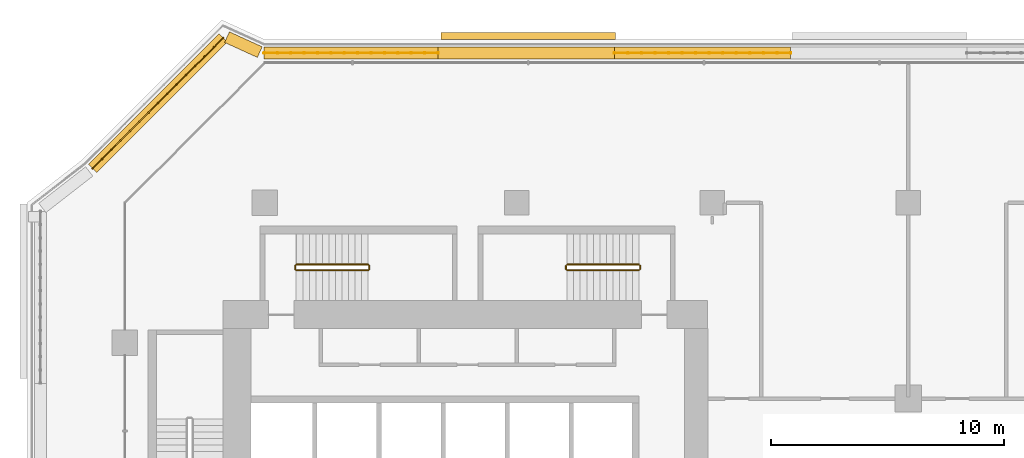
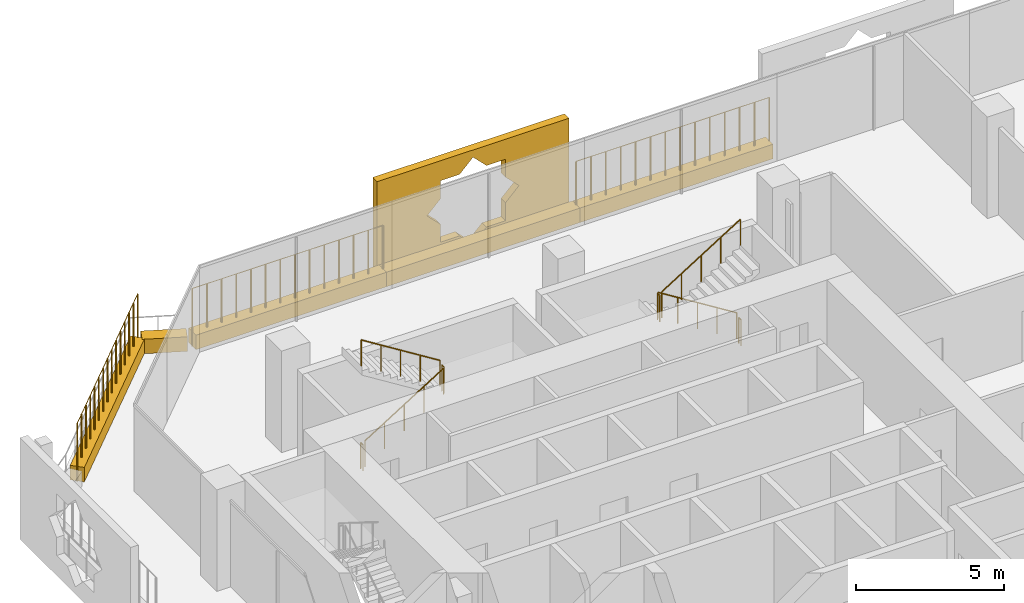
# One storey, part 25 of 27: 11 railings, 6 coverings.
"""IFC4 building model written with IfcOpenShell, lengths in metres."""

from ifc_helpers import new_model, si_unit, direction, frame, origin, origin_2d, place, context, subcontext, project, spatial, polyline, rectangle, circle, outline, extrude, material, material_profile, profile_set, type_object, element, save


model = new_model("IFC4")

# Units and contexts
model_context = context("Model", 3, precision=1e-05, world=origin(), true_north=direction((0.0, 1.0)))
body_context = subcontext(model_context, "Body", "Model", "MODEL_VIEW")
ifc_project = project(units=[si_unit("LENGTHUNIT", "METRE"), si_unit("AREAUNIT", "SQUARE_METRE"), si_unit("VOLUMEUNIT", "CUBIC_METRE"), si_unit("PLANEANGLEUNIT", "RADIAN"), si_unit("MASSUNIT", "GRAM", prefix="KILO")], contexts=[model_context])

# Site, building, storey
site_placement = place(None, origin())
site = spatial("IfcSite", under=ifc_project, at=site_placement, CompositionType="ELEMENT")
building_placement = place(site_placement, origin())
building = spatial("IfcBuilding", under=site, at=building_placement, Name="Kawkab Arch Medical Tower", CompositionType="ELEMENT")
storey_placement = place(building_placement, frame((0.0, 0.0, 103.0)))
storey = spatial("IfcBuildingStorey", under=building, at=storey_placement, Name="L23", CompositionType="ELEMENT", Elevation=103.0)

# Coverings
ifc_material_1 = material(Name="Bronze anodised aluminium mashrabiya panel, eight-point star pattern", Category="aluminium")
ifc_material_profile_1 = material_profile(ifc_material_1, outline(polyline([(-3.75, -2.10009765625), (3.75, -2.10009765625), (3.75, 2.10009765625), (-3.75, 2.10009765625), (-3.75, -2.10009765625)]), holes=[polyline([(1.800048828125, 0.0), (1.272705078125, 0.527099609375), (1.272705078125, 1.272705078125), (0.527099609375, 1.272705078125), (0.0, 1.800048828125), (-0.527099609375, 1.272705078125), (-1.272705078125, 1.272705078125), (-1.272705078125, 0.527099609375), (-1.800048828125, 0.0), (-1.272705078125, -0.527099609375), (-1.272705078125, -1.272705078125), (-0.527099609375, -1.272705078125), (0.0, -1.800048828125), (0.527099609375, -1.272705078125), (1.272705078125, -1.272705078125), (1.272705078125, -0.527099609375), (1.800048828125, 0.0)])]), Name="Mashrabiya panel 7500x4200")
ifc_profile_set_1 = profile_set([ifc_material_profile_1], Name="Bronze anodised aluminium mashrabiya panel, eight-point star pattern")
covering_type_1 = type_object("IfcCoveringType", Name="Mashrabiya panel 7500 x 4200", PredefinedType="USERDEFINED", material=ifc_profile_set_1)
covering_1_placement = place(storey_placement, frame((17.298583984375, 7.0, 1.699951171875), z_axis=(0.0, 1.0, 0.0), x_axis=(-1.0, 0.0, 0.0)))
element("IfcCovering", 1, at=covering_1_placement, inside=storey, type_object=covering_type_1, Name="Mashrabiya panel L23.LOG-01-02.6", ObjectType="SCREEN", PredefinedType="USERDEFINED", context=body_context, shape_type="SweptSolid", body=[
    extrude(outline(polyline([(-3.75, -2.10009765625), (3.75, -2.10009765625), (3.75, 2.10009765625), (-3.75, 2.10009765625), (-3.75, -2.10009765625)]), holes=[polyline([(1.800048828125, 0.0), (1.272705078125, 0.527099609375), (1.272705078125, 1.272705078125), (0.527099609375, 1.272705078125), (0.0, 1.800048828125), (-0.527099609375, 1.272705078125), (-1.272705078125, 1.272705078125), (-1.272705078125, 0.527099609375), (-1.800048828125, 0.0), (-1.272705078125, -0.527099609375), (-1.272705078125, -1.272705078125), (-0.527099609375, -1.272705078125), (0.0, -1.800048828125), (0.527099609375, -1.272705078125), (1.272705078125, -1.272705078125), (1.272705078125, -0.527099609375), (1.800048828125, 0.0)])]), origin(), (0.0, 0.0, 1.0), 0.300048828125),
])
ifc_material_2 = material(Name="Planting soil in a precast trough", Category="concrete")
ifc_material_profile_2 = material_profile(ifc_material_2, rectangle(XDim=0.5, YDim=0.60009765625, at=origin_2d()), Name="Trough 500x600")
ifc_profile_set_2 = profile_set([ifc_material_profile_2], Name="Planting soil in a precast trough")
covering_type_2 = type_object("IfcCoveringType", Name="Planter trough 500 x 600", PredefinedType="USERDEFINED", material=ifc_profile_set_2)
covering_2_placement = place(storey_placement, frame((-1.383056640625, 1.472900390625, 0.300048828125), z_axis=(0.707106781187, 0.707106781187, 0.0), x_axis=(-0.707106781187, 0.707106781187, 0.0)))
element("IfcCovering", 2, at=covering_2_placement, inside=storey, type_object=covering_type_2, Name="Planter L23.LOG-01-02.15", ObjectType="PLANTER", PredefinedType="USERDEFINED", context=body_context, shape_type="SweptSolid", body=[
    extrude(rectangle(XDim=0.5, YDim=0.60009765625, at=origin_2d()), origin(), (0.0, 0.0, 1.0), 7.919677734375),
])
covering_3_placement = place(storey_placement, frame((4.37890625, 7.10205078125, 0.300048828125), z_axis=(0.909655525109, -0.415363486165, 0.0), x_axis=(0.415363486165, 0.909655525109, 0.0)))
element("IfcCovering", 3, at=covering_3_placement, inside=storey, type_object=covering_type_2, Name="Planter L23.LOG-01-02.16", ObjectType="PLANTER", PredefinedType="USERDEFINED", context=body_context, shape_type="SweptSolid", body=[
    extrude(rectangle(XDim=0.5, YDim=0.60009765625, at=origin_2d()), origin(), (0.0, 0.0, 1.0), 1.54345703125),
])
covering_4_placement = place(storey_placement, frame((5.97412109375, 6.419921875, 0.300048828125), z_axis=(1.0, 0.0, 0.0), x_axis=(0.0, 1.0, 0.0)))
element("IfcCovering", 4, at=covering_4_placement, inside=storey, type_object=covering_type_2, Name="Planter L23.LOG-01-02.17", ObjectType="PLANTER", PredefinedType="USERDEFINED", context=body_context, shape_type="SweptSolid", body=[
    extrude(rectangle(XDim=0.5, YDim=0.60009765625, at=origin_2d()), origin(), (0.0, 0.0, 1.0), 7.4609375),
])
covering_5_placement = place(storey_placement, frame((13.43505859375, 6.419921875, 0.300048828125), z_axis=(1.0, 0.0, 0.0), x_axis=(0.0, 1.0, 0.0)))
element("IfcCovering", 5, at=covering_5_placement, inside=storey, type_object=covering_type_2, Name="Planter L23.LOG-01-02.18", ObjectType="PLANTER", PredefinedType="USERDEFINED", context=body_context, shape_type="SweptSolid", body=[
    extrude(rectangle(XDim=0.5, YDim=0.60009765625, at=origin_2d()), origin(), (0.0, 0.0, 1.0), 7.56201171875),
])
covering_6_placement = place(storey_placement, frame((20.9970703125, 6.419921875, 0.300048828125), z_axis=(1.0, 0.0, 0.0), x_axis=(0.0, 1.0, 0.0)))
element("IfcCovering", 6, at=covering_6_placement, inside=storey, type_object=covering_type_2, Name="Planter L23.LOG-01-02.19", ObjectType="PLANTER", PredefinedType="USERDEFINED", context=body_context, shape_type="SweptSolid", body=[
    extrude(rectangle(XDim=0.5, YDim=0.60009765625, at=origin_2d()), origin(), (0.0, 0.0, 1.0), 7.56103515625),
])

# Railings
ifc_material_3 = material(Name="Bronze anodised aluminium trellis for climbing plants", Category="aluminium")
railing_type_1 = type_object("IfcRailingType", Name="Planting trellis 2400", PredefinedType="USERDEFINED", material=ifc_material_3)
railing_1_placement = place(storey_placement, frame((-1.383056640625, 1.472900390625, 0.0)))
element("IfcRailing", 7, at=railing_1_placement, inside=storey, type_object=railing_type_1, Name="Planting trellis L23.LOG-01-02.15", ObjectType="TRELLIS", PredefinedType="USERDEFINED", context=body_context, shape_type="SweptSolid", body=[
    extrude(circle(Radius=0.01513671875, at=origin_2d()), frame((0.0, 0.0, 2.384765625), z_axis=(0.707106781187, 0.707106781187, 0.0), x_axis=(-0.707106781187, 0.707106781187, 0.0)), (0.0, 0.0, 1.0), 7.919677734375),
    extrude(circle(Radius=0.030029296875, at=origin_2d()), origin(), (0.0, 0.0, 1.0), 2.369873046875),
    extrude(circle(Radius=0.030029296875, at=origin_2d()), frame((0.39990234375, 0.39990234375, 0.0)), (0.0, 0.0, 1.0), 2.369873046875),
    extrude(circle(Radius=0.030029296875, at=origin_2d()), frame((0.800048828125, 0.800048828125, 0.0)), (0.0, 0.0, 1.0), 2.369873046875),
    extrude(circle(Radius=0.030029296875, at=origin_2d()), frame((1.199951171875, 1.199951171875, 0.0)), (0.0, 0.0, 1.0), 2.369873046875),
    extrude(circle(Radius=0.030029296875, at=origin_2d()), frame((1.60009765625, 1.60009765625, 0.0)), (0.0, 0.0, 1.0), 2.369873046875),
    extrude(circle(Radius=0.030029296875, at=origin_2d()), frame((2.0, 2.0, 0.0)), (0.0, 0.0, 1.0), 2.369873046875),
    extrude(circle(Radius=0.030029296875, at=origin_2d()), frame((2.400146484375, 2.400146484375, 0.0)), (0.0, 0.0, 1.0), 2.369873046875),
    extrude(circle(Radius=0.030029296875, at=origin_2d()), frame((2.800048828125, 2.800048828125, 0.0)), (0.0, 0.0, 1.0), 2.369873046875),
    extrude(circle(Radius=0.030029296875, at=origin_2d()), frame((3.199951171875, 3.199951171875, 0.0)), (0.0, 0.0, 1.0), 2.369873046875),
    extrude(circle(Radius=0.030029296875, at=origin_2d()), frame((3.60009765625, 3.60009765625, 0.0)), (0.0, 0.0, 1.0), 2.369873046875),
    extrude(circle(Radius=0.030029296875, at=origin_2d()), frame((4.0, 4.0, 0.0)), (0.0, 0.0, 1.0), 2.369873046875),
    extrude(circle(Radius=0.030029296875, at=origin_2d()), frame((4.400146484375, 4.400146484375, 0.0)), (0.0, 0.0, 1.0), 2.369873046875),
    extrude(circle(Radius=0.030029296875, at=origin_2d()), frame((4.800048828125, 4.800048828125, 0.0)), (0.0, 0.0, 1.0), 2.369873046875),
    extrude(circle(Radius=0.030029296875, at=origin_2d()), frame((5.2001953125, 5.2001953125, 0.0)), (0.0, 0.0, 1.0), 2.369873046875),
    extrude(circle(Radius=0.030029296875, at=origin_2d()), frame((5.60009765625, 5.60009765625, 0.0)), (0.0, 0.0, 1.0), 2.369873046875),
])
railing_2_placement = place(storey_placement, frame((5.97412109375, 6.419921875, 0.0)))
element("IfcRailing", 8, at=railing_2_placement, inside=storey, type_object=railing_type_1, Name="Planting trellis L23.LOG-01-02.17", ObjectType="TRELLIS", PredefinedType="USERDEFINED", context=body_context, shape_type="SweptSolid", body=[
    extrude(circle(Radius=0.01513671875, at=origin_2d()), frame((0.0, 0.0, 2.384765625), z_axis=(1.0, 0.0, 0.0), x_axis=(0.0, 1.0, 0.0)), (0.0, 0.0, 1.0), 7.4609375),
    extrude(circle(Radius=0.030029296875, at=origin_2d()), origin(), (0.0, 0.0, 1.0), 2.369873046875),
    extrude(circle(Radius=0.030029296875, at=origin_2d()), frame((0.573974609375, 0.0, 0.0)), (0.0, 0.0, 1.0), 2.369873046875),
    extrude(circle(Radius=0.030029296875, at=origin_2d()), frame((1.14794921875, 0.0, 0.0)), (0.0, 0.0, 1.0), 2.369873046875),
    extrude(circle(Radius=0.030029296875, at=origin_2d()), frame((1.7216796875, 0.0, 0.0)), (0.0, 0.0, 1.0), 2.369873046875),
    extrude(circle(Radius=0.030029296875, at=origin_2d()), frame((2.295654296875, 0.0, 0.0)), (0.0, 0.0, 1.0), 2.369873046875),
    extrude(circle(Radius=0.030029296875, at=origin_2d()), frame((2.86962890625, 0.0, 0.0)), (0.0, 0.0, 1.0), 2.369873046875),
    extrude(circle(Radius=0.030029296875, at=origin_2d()), frame((3.443603515625, 0.0, 0.0)), (0.0, 0.0, 1.0), 2.369873046875),
    extrude(circle(Radius=0.030029296875, at=origin_2d()), frame((4.017333984375, 0.0, 0.0)), (0.0, 0.0, 1.0), 2.369873046875),
    extrude(circle(Radius=0.030029296875, at=origin_2d()), frame((4.59130859375, 0.0, 0.0)), (0.0, 0.0, 1.0), 2.369873046875),
    extrude(circle(Radius=0.030029296875, at=origin_2d()), frame((5.165283203125, 0.0, 0.0)), (0.0, 0.0, 1.0), 2.369873046875),
    extrude(circle(Radius=0.030029296875, at=origin_2d()), frame((5.7392578125, 0.0, 0.0)), (0.0, 0.0, 1.0), 2.369873046875),
    extrude(circle(Radius=0.030029296875, at=origin_2d()), frame((6.31298828125, 0.0, 0.0)), (0.0, 0.0, 1.0), 2.369873046875),
    extrude(circle(Radius=0.030029296875, at=origin_2d()), frame((6.886962890625, 0.0, 0.0)), (0.0, 0.0, 1.0), 2.369873046875),
    extrude(circle(Radius=0.030029296875, at=origin_2d()), frame((7.4609375, 0.0, 0.0)), (0.0, 0.0, 1.0), 2.369873046875),
])
railing_3_placement = place(storey_placement, frame((20.9970703125, 6.419921875, 0.0)))
element("IfcRailing", 9, at=railing_3_placement, inside=storey, type_object=railing_type_1, Name="Planting trellis L23.LOG-01-02.19", ObjectType="TRELLIS", PredefinedType="USERDEFINED", context=body_context, shape_type="SweptSolid", body=[
    extrude(circle(Radius=0.01513671875, at=origin_2d()), frame((0.0, 0.0, 2.384765625), z_axis=(1.0, 0.0, 0.0), x_axis=(0.0, 1.0, 0.0)), (0.0, 0.0, 1.0), 7.56103515625),
    extrude(circle(Radius=0.030029296875, at=origin_2d()), origin(), (0.0, 0.0, 1.0), 2.369873046875),
    extrude(circle(Radius=0.030029296875, at=origin_2d()), frame((0.58154296875, 0.0, 0.0)), (0.0, 0.0, 1.0), 2.369873046875),
    extrude(circle(Radius=0.030029296875, at=origin_2d()), frame((1.163330078125, 0.0, 0.0)), (0.0, 0.0, 1.0), 2.369873046875),
    extrude(circle(Radius=0.030029296875, at=origin_2d()), frame((1.744873046875, 0.0, 0.0)), (0.0, 0.0, 1.0), 2.369873046875),
    extrude(circle(Radius=0.030029296875, at=origin_2d()), frame((2.326416015625, 0.0, 0.0)), (0.0, 0.0, 1.0), 2.369873046875),
    extrude(circle(Radius=0.030029296875, at=origin_2d()), frame((2.908203125, 0.0, 0.0)), (0.0, 0.0, 1.0), 2.369873046875),
    extrude(circle(Radius=0.030029296875, at=origin_2d()), frame((3.48974609375, 0.0, 0.0)), (0.0, 0.0, 1.0), 2.369873046875),
    extrude(circle(Radius=0.030029296875, at=origin_2d()), frame((4.0712890625, 0.0, 0.0)), (0.0, 0.0, 1.0), 2.369873046875),
    extrude(circle(Radius=0.030029296875, at=origin_2d()), frame((4.65283203125, 0.0, 0.0)), (0.0, 0.0, 1.0), 2.369873046875),
    extrude(circle(Radius=0.030029296875, at=origin_2d()), frame((5.234619140625, 0.0, 0.0)), (0.0, 0.0, 1.0), 2.369873046875),
    extrude(circle(Radius=0.030029296875, at=origin_2d()), frame((5.816162109375, 0.0, 0.0)), (0.0, 0.0, 1.0), 2.369873046875),
    extrude(circle(Radius=0.030029296875, at=origin_2d()), frame((6.397705078125, 0.0, 0.0)), (0.0, 0.0, 1.0), 2.369873046875),
    extrude(circle(Radius=0.030029296875, at=origin_2d()), frame((6.9794921875, 0.0, 0.0)), (0.0, 0.0, 1.0), 2.369873046875),
    extrude(circle(Radius=0.030029296875, at=origin_2d()), frame((7.56103515625, 0.0, 0.0)), (0.0, 0.0, 1.0), 2.369873046875),
])
ifc_material_4 = material(Name="Stainless steel", Category="steel")
railing_type_2 = type_object("IfcRailingType", Name="Stair guard 1100", PredefinedType="GUARDRAIL", material=ifc_material_4)
railing_4_placement = place(storey_placement, frame((7.35009765625, -2.89990234375, 0.175048828125)))
element("IfcRailing", 10, at=railing_4_placement, inside=storey, type_object=railing_type_2, Name="L23 ST3 stair guard 1", PredefinedType="GUARDRAIL", context=body_context, shape_type="SweptSolid", body=[
    extrude(circle(Radius=0.02392578125, at=origin_2d()), frame((0.0, 0.0, 1.076171875), z_axis=(0.847979421464, 0.0, 0.530029150871), x_axis=(0.0, 1.0, 0.0)), (0.0, 0.0, 1.0), 3.632080078125),
    extrude(circle(Radius=0.02099609375, at=origin_2d()), origin(), (0.0, 0.0, 1.0), 1.052001953125),
    extrude(circle(Radius=0.02099609375, at=origin_2d()), frame((0.77001953125, 0.0, 0.481201171875)), (0.0, 0.0, 1.0), 1.052001953125),
    extrude(circle(Radius=0.02099609375, at=origin_2d()), frame((1.5400390625, 0.0, 0.96240234375)), (0.0, 0.0, 1.0), 1.052001953125),
    extrude(circle(Radius=0.02099609375, at=origin_2d()), frame((2.309814453125, 0.0, 1.44384765625)), (0.0, 0.0, 1.0), 1.052001953125),
    extrude(circle(Radius=0.02099609375, at=origin_2d()), frame((3.079833984375, 0.0, 1.925048828125)), (0.0, 0.0, 1.0), 1.052001953125),
])
railing_5_placement = place(storey_placement, frame((10.47998046875, -2.85009765625, 2.10009765625)))
element("IfcRailing", 11, at=railing_5_placement, inside=storey, type_object=railing_type_2, Name="L23 ST3 stair guard 2", PredefinedType="GUARDRAIL", context=body_context, shape_type="SweptSolid", body=[
    extrude(circle(Radius=0.02392578125, at=origin_2d()), frame((0.0, 0.0, 1.076171875), z_axis=(0.0, 1.0, 0.0), x_axis=(-1.0, 0.0, 0.0)), (0.0, 0.0, 1.0), 0.150146484375),
    extrude(circle(Radius=0.02099609375, at=origin_2d()), origin(), (0.0, 0.0, 1.0), 1.052001953125),
    extrude(circle(Radius=0.02099609375, at=origin_2d()), frame((0.0, 0.150146484375, 0.0)), (0.0, 0.0, 1.0), 1.052001953125),
])
railing_6_placement = place(storey_placement, frame((10.429931640625, -2.64990234375, 2.27490234375)))
element("IfcRailing", 12, at=railing_6_placement, inside=storey, type_object=railing_type_2, Name="L23 ST3 stair guard 3", PredefinedType="GUARDRAIL", context=body_context, shape_type="SweptSolid", body=[
    extrude(circle(Radius=0.02392578125, at=origin_2d()), frame((0.0, 0.0, 1.076171875), z_axis=(-0.847979421464, 0.0, 0.530029150871), x_axis=(0.0, -1.0, 0.0)), (0.0, 0.0, 1.0), 3.632080078125),
    extrude(circle(Radius=0.02099609375, at=origin_2d()), origin(), (0.0, 0.0, 1.0), 1.052001953125),
    extrude(circle(Radius=0.02099609375, at=origin_2d()), frame((-0.77001953125, 0.0, 0.481201171875)), (0.0, 0.0, 1.0), 1.052001953125),
    extrude(circle(Radius=0.02099609375, at=origin_2d()), frame((-1.5400390625, 0.0, 0.96240234375)), (0.0, 0.0, 1.0), 1.052001953125),
    extrude(circle(Radius=0.02099609375, at=origin_2d()), frame((-2.309814453125, 0.0, 1.44384765625)), (0.0, 0.0, 1.0), 1.052001953125),
    extrude(circle(Radius=0.02099609375, at=origin_2d()), frame((-3.079833984375, 0.0, 1.925048828125)), (0.0, 0.0, 1.0), 1.052001953125),
])
railing_7_placement = place(storey_placement, frame((7.300048828125, -2.85009765625, 0.0)))
element("IfcRailing", 13, at=railing_7_placement, inside=storey, type_object=railing_type_2, Name="L23 ST3 stair guard 4", PredefinedType="GUARDRAIL", context=body_context, shape_type="SweptSolid", body=[
    extrude(circle(Radius=0.02392578125, at=origin_2d()), frame((0.0, 0.0, 1.076171875), z_axis=(0.0, 1.0, 0.0), x_axis=(-1.0, 0.0, 0.0)), (0.0, 0.0, 1.0), 0.150146484375),
    extrude(circle(Radius=0.02099609375, at=origin_2d()), origin(), (0.0, 0.0, 1.0), 1.052001953125),
    extrude(circle(Radius=0.02099609375, at=origin_2d()), frame((0.0, 0.150146484375, 0.0)), (0.0, 0.0, 1.0), 1.052001953125),
])
railing_8_placement = place(storey_placement, frame((22.050048828125, -2.64990234375, 0.175048828125)))
element("IfcRailing", 14, at=railing_8_placement, inside=storey, type_object=railing_type_2, Name="L23 ST4 stair guard 1", PredefinedType="GUARDRAIL", context=body_context, shape_type="SweptSolid", body=[
    extrude(circle(Radius=0.02392578125, at=origin_2d()), frame((0.0, 0.0, 1.076171875), z_axis=(-0.847998304005, 0.0, 0.529998940003), x_axis=(0.0, -1.0, 0.0)), (0.0, 0.0, 1.0), 3.632080078125),
    extrude(circle(Radius=0.02099609375, at=origin_2d()), origin(), (0.0, 0.0, 1.0), 1.052001953125),
    extrude(circle(Radius=0.02099609375, at=origin_2d()), frame((-0.77001953125, 0.0, 0.481201171875)), (0.0, 0.0, 1.0), 1.052001953125),
    extrude(circle(Radius=0.02099609375, at=origin_2d()), frame((-1.5400390625, 0.0, 0.96240234375)), (0.0, 0.0, 1.0), 1.052001953125),
    extrude(circle(Radius=0.02099609375, at=origin_2d()), frame((-2.31005859375, 0.0, 1.44384765625)), (0.0, 0.0, 1.0), 1.052001953125),
    extrude(circle(Radius=0.02099609375, at=origin_2d()), frame((-3.080078125, 0.0, 1.925048828125)), (0.0, 0.0, 1.0), 1.052001953125),
])
railing_9_placement = place(storey_placement, frame((18.919921875, -2.699951171875, 2.10009765625)))
element("IfcRailing", 15, at=railing_9_placement, inside=storey, type_object=railing_type_2, Name="L23 ST4 stair guard 2", PredefinedType="GUARDRAIL", context=body_context, shape_type="SweptSolid", body=[
    extrude(circle(Radius=0.02392578125, at=origin_2d()), frame((0.0, 0.0, 1.076171875), z_axis=(0.0, -1.0, 0.0), x_axis=(1.0, 0.0, 0.0)), (0.0, 0.0, 1.0), 0.150146484375),
    extrude(circle(Radius=0.02099609375, at=origin_2d()), origin(), (0.0, 0.0, 1.0), 1.052001953125),
    extrude(circle(Radius=0.02099609375, at=origin_2d()), frame((0.0, -0.150146484375, 0.0)), (0.0, 0.0, 1.0), 1.052001953125),
])
railing_10_placement = place(storey_placement, frame((18.969970703125, -2.89990234375, 2.27490234375)))
element("IfcRailing", 16, at=railing_10_placement, inside=storey, type_object=railing_type_2, Name="L23 ST4 stair guard 3", PredefinedType="GUARDRAIL", context=body_context, shape_type="SweptSolid", body=[
    extrude(circle(Radius=0.02392578125, at=origin_2d()), frame((0.0, 0.0, 1.076171875), z_axis=(0.847998304005, 0.0, 0.529998940003), x_axis=(0.0, 1.0, 0.0)), (0.0, 0.0, 1.0), 3.632080078125),
    extrude(circle(Radius=0.02099609375, at=origin_2d()), origin(), (0.0, 0.0, 1.0), 1.052001953125),
    extrude(circle(Radius=0.02099609375, at=origin_2d()), frame((0.77001953125, 0.0, 0.481201171875)), (0.0, 0.0, 1.0), 1.052001953125),
    extrude(circle(Radius=0.02099609375, at=origin_2d()), frame((1.5400390625, 0.0, 0.96240234375)), (0.0, 0.0, 1.0), 1.052001953125),
    extrude(circle(Radius=0.02099609375, at=origin_2d()), frame((2.31005859375, 0.0, 1.44384765625)), (0.0, 0.0, 1.0), 1.052001953125),
    extrude(circle(Radius=0.02099609375, at=origin_2d()), frame((3.080078125, 0.0, 1.925048828125)), (0.0, 0.0, 1.0), 1.052001953125),
])
railing_11_placement = place(storey_placement, frame((22.10009765625, -2.699951171875, 0.0)))
element("IfcRailing", 17, at=railing_11_placement, inside=storey, type_object=railing_type_2, Name="L23 ST4 stair guard 4", PredefinedType="GUARDRAIL", context=body_context, shape_type="SweptSolid", body=[
    extrude(circle(Radius=0.02392578125, at=origin_2d()), frame((0.0, 0.0, 1.076171875), z_axis=(0.0, -1.0, 0.0), x_axis=(1.0, 0.0, 0.0)), (0.0, 0.0, 1.0), 0.150146484375),
    extrude(circle(Radius=0.02099609375, at=origin_2d()), origin(), (0.0, 0.0, 1.0), 1.052001953125),
    extrude(circle(Radius=0.02099609375, at=origin_2d()), frame((0.0, -0.150146484375, 0.0)), (0.0, 0.0, 1.0), 1.052001953125),
])

save(model, "model.ifc")
